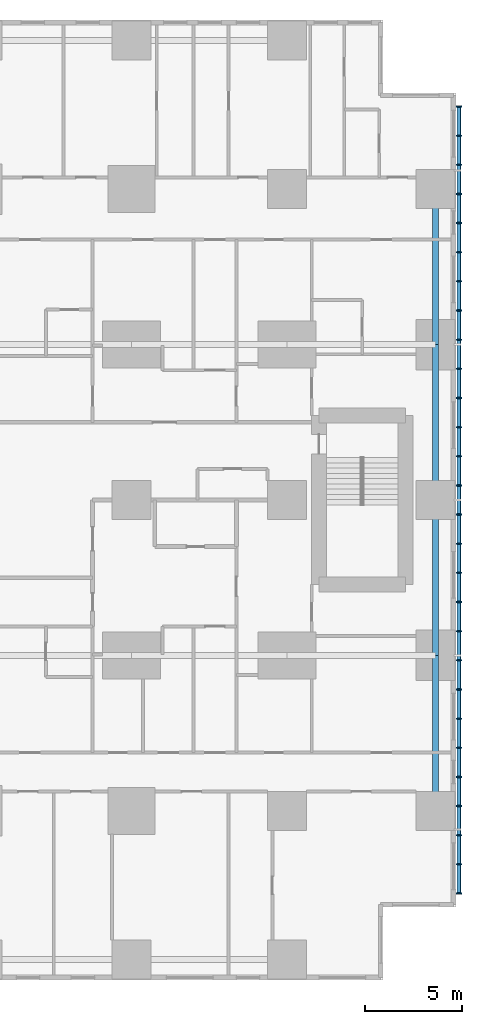
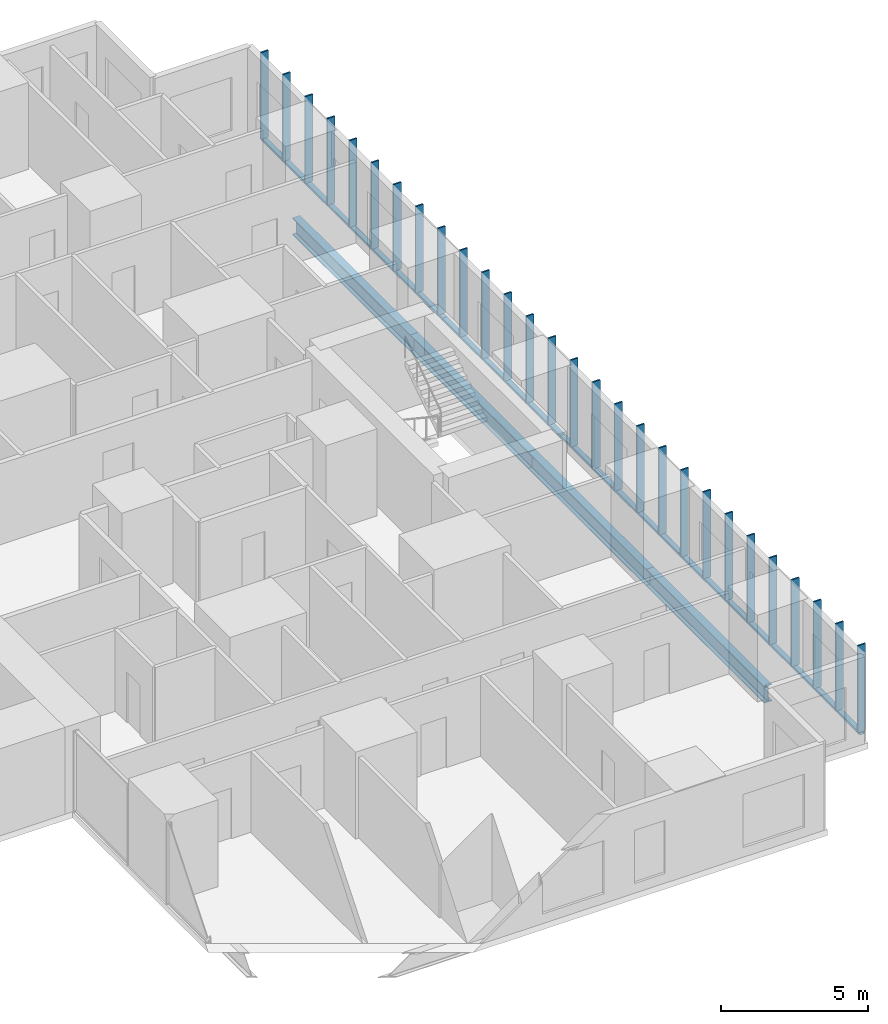
# One storey, part 6 of 21: 32 members, 4 beams.
"""IFC4 building model written with IfcOpenShell, lengths in metres."""

from ifc_helpers import new_model, si_unit, direction, frame, origin, origin_2d, place, context, subcontext, project, spatial, rectangle, hollow_rectangle, i_section, extrude, material, material_profile, profile_set, type_object, element, save


model = new_model("IFC4")

# Units and contexts
model_context = context("Model", 3, precision=1e-05, world=origin(), true_north=direction((0.0, 1.0)))
body_context = subcontext(model_context, "Body", "Model", "MODEL_VIEW")
ifc_project = project(units=[si_unit("LENGTHUNIT", "METRE"), si_unit("AREAUNIT", "SQUARE_METRE"), si_unit("VOLUMEUNIT", "CUBIC_METRE"), si_unit("PLANEANGLEUNIT", "RADIAN"), si_unit("MASSUNIT", "GRAM", prefix="KILO")], contexts=[model_context])

# Site, building, storey
site_placement = place(None, origin())
site = spatial("IfcSite", under=ifc_project, at=site_placement, CompositionType="ELEMENT")
building_placement = place(site_placement, origin())
building = spatial("IfcBuilding", under=site, at=building_placement, Name="Cleftline Residences", CompositionType="ELEMENT")
storey_placement = place(building_placement, frame((0.0, 0.0, 161.0)))
storey = spatial("IfcBuildingStorey", under=building, at=storey_placement, Name="L42", CompositionType="ELEMENT", Elevation=161.0)

# Members
ifc_material_1 = material(Name="Steel S355, hot-dip galvanised", Category="steel")
ifc_material_profile_1 = material_profile(ifc_material_1, hollow_rectangle(XDim=0.10009765625, YDim=0.199951171875, WallThickness=0.008056640625, InnerFilletRadius=0.008056640625, OuterFilletRadius=0.011962890625, at=origin_2d()))
ifc_profile_set_1 = profile_set([ifc_material_profile_1], Name="Steel S355, hot-dip galvanised")
member_type_1 = type_object("IfcMemberType", Name="BAGUETTE CARRIER RHS 200X100X8", PredefinedType="USERDEFINED", material=ifc_profile_set_1)
member_1_placement = place(storey_placement, frame((66.85009765625, 3.699951171875, -0.050048828125), z_axis=(0.0, 1.0, 0.0), x_axis=(0.0, 0.0, 1.0)))
element("IfcMember", 1, at=member_1_placement, inside=storey, type_object=member_type_1, Name="Baguette carrier", ObjectType="BAGUETTE CARRIER", PredefinedType="USERDEFINED", context=body_context, shape_type="SweptSolid", body=[
    extrude(hollow_rectangle(XDim=0.10009765625, YDim=0.199951171875, WallThickness=0.008056640625, InnerFilletRadius=0.008056640625, OuterFilletRadius=0.011962890625, at=origin_2d()), origin(), (0.0, 0.0, 1.0), 12.300048828125),
])
for number, where, z_axis, x_axis, name in (
    (2, (66.85009765625, 16.0, -0.050048828125), (0.0, 1.0, 0.0), (0.0, 0.0, 1.0), "Baguette carrier"),
    (3, (66.85009765625, 24.0, -0.050048828125), (0.0, 1.0, 0.0), (0.0, 0.0, 1.0), "Baguette carrier"),
):
    element("IfcMember", number, at=place(storey_placement, frame(where, z_axis=z_axis, x_axis=x_axis)), inside=storey, type_object=member_type_1, Name=name, ObjectType="BAGUETTE CARRIER", PredefinedType="USERDEFINED", context=body_context, shape_type="SweptSolid", body=[
        extrude(hollow_rectangle(XDim=0.10009765625, YDim=0.199951171875, WallThickness=0.008056640625, InnerFilletRadius=0.008056640625, OuterFilletRadius=0.011962890625, at=origin_2d()), origin(), (0.0, 0.0, 1.0), 8.0),
    ])
member_2_placement = place(storey_placement, frame((66.85009765625, 32.0, -0.050048828125), z_axis=(0.0, 1.0, 0.0), x_axis=(0.0, 0.0, 1.0)))
element("IfcMember", 4, at=member_2_placement, inside=storey, type_object=member_type_1, Name="Baguette carrier", ObjectType="BAGUETTE CARRIER", PredefinedType="USERDEFINED", context=body_context, shape_type="SweptSolid", body=[
    extrude(hollow_rectangle(XDim=0.10009765625, YDim=0.199951171875, WallThickness=0.008056640625, InnerFilletRadius=0.008056640625, OuterFilletRadius=0.011962890625, at=origin_2d()), origin(), (0.0, 0.0, 1.0), 12.300048828125),
])

# Beams
ifc_material_2 = material(Name="Steel S355", Category="steel")
ifc_material_profile_2 = material_profile(ifc_material_2, i_section(OverallWidth=0.300048828125, OverallDepth=0.699951171875, WebThickness=0.01708984375, FlangeThickness=0.031982421875, FilletRadius=0.027099609375, at=origin_2d()))
ifc_profile_set_2 = profile_set([ifc_material_profile_2], Name="Steel S355")
beam_type = type_object("IfcBeamType", Name="BEAM HEB 700", PredefinedType="BEAM", material=ifc_profile_set_2)
for number, where, z_axis, x_axis, name in (
    (5, (65.64990234375, 8.0, -0.60009765625), (0.0, 1.0, 0.0), (-1.0, 0.0, 0.0), "Edge beam"),
    (6, (65.64990234375, 16.0, -0.60009765625), (0.0, 1.0, 0.0), (-1.0, 0.0, 0.0), "Edge beam"),
    (7, (65.64990234375, 24.0, -0.60009765625), (0.0, 1.0, 0.0), (-1.0, 0.0, 0.0), "Edge beam"),
    (8, (65.64990234375, 32.0, -0.60009765625), (0.0, 1.0, 0.0), (-1.0, 0.0, 0.0), "Edge beam"),
):
    element("IfcBeam", number, at=place(storey_placement, frame(where, z_axis=z_axis, x_axis=x_axis)), inside=storey, type_object=beam_type, Name=name, PredefinedType="BEAM", context=body_context, shape_type="SweptSolid", body=[
        extrude(i_section(OverallWidth=0.300048828125, OverallDepth=0.699951171875, WebThickness=0.01708984375, FlangeThickness=0.031982421875, FilletRadius=0.027099609375, at=origin_2d()), origin(), (0.0, 0.0, 1.0), 8.0),
    ])

# Members
ifc_material_3 = material(Name="Extruded terracotta", Category="masonry")
ifc_material_profile_3 = material_profile(ifc_material_3, rectangle(XDim=0.06005859375, YDim=0.300048828125, at=origin_2d()))
ifc_profile_set_3 = profile_set([ifc_material_profile_3], Name="Extruded terracotta")
member_type_2 = type_object("IfcMemberType", Name="TERRACOTTA BAGUETTE 60X300", PredefinedType="USERDEFINED", material=ifc_profile_set_3)
for number, where, z_axis, x_axis, name in (
    (9, (66.85009765625, 3.75, 0.0), (0.0, 0.0, 1.0), (0.0, 1.0, 0.0), "Terracotta baguette"),
    (10, (66.85009765625, 5.25, 0.0), (0.0, 0.0, 1.0), (0.0, 1.0, 0.0), "Terracotta baguette"),
    (11, (66.85009765625, 6.75, 0.0), (0.0, 0.0, 1.0), (0.0, 1.0, 0.0), "Terracotta baguette"),
    (12, (66.85009765625, 8.25, 0.0), (0.0, 0.0, 1.0), (0.0, 1.0, 0.0), "Terracotta baguette"),
    (13, (66.85009765625, 9.75, 0.0), (0.0, 0.0, 1.0), (0.0, 1.0, 0.0), "Terracotta baguette"),
    (14, (66.85009765625, 11.25, 0.0), (0.0, 0.0, 1.0), (0.0, 1.0, 0.0), "Terracotta baguette"),
    (15, (66.85009765625, 12.75, 0.0), (0.0, 0.0, 1.0), (0.0, 1.0, 0.0), "Terracotta baguette"),
    (16, (66.85009765625, 14.25, 0.0), (0.0, 0.0, 1.0), (0.0, 1.0, 0.0), "Terracotta baguette"),
    (17, (66.85009765625, 15.75, 0.0), (0.0, 0.0, 1.0), (0.0, 1.0, 0.0), "Terracotta baguette"),
    (18, (66.85009765625, 17.25, 0.0), (0.0, 0.0, 1.0), (0.0, 1.0, 0.0), "Terracotta baguette"),
    (19, (66.85009765625, 18.75, 0.0), (0.0, 0.0, 1.0), (0.0, 1.0, 0.0), "Terracotta baguette"),
    (20, (66.85009765625, 20.25, 0.0), (0.0, 0.0, 1.0), (0.0, 1.0, 0.0), "Terracotta baguette"),
    (21, (66.85009765625, 21.75, 0.0), (0.0, 0.0, 1.0), (0.0, 1.0, 0.0), "Terracotta baguette"),
    (22, (66.85009765625, 23.25, 0.0), (0.0, 0.0, 1.0), (0.0, 1.0, 0.0), "Terracotta baguette"),
    (23, (66.85009765625, 24.75, 0.0), (0.0, 0.0, 1.0), (0.0, 1.0, 0.0), "Terracotta baguette"),
    (24, (66.85009765625, 26.25, 0.0), (0.0, 0.0, 1.0), (0.0, 1.0, 0.0), "Terracotta baguette"),
    (25, (66.85009765625, 27.75, 0.0), (0.0, 0.0, 1.0), (0.0, 1.0, 0.0), "Terracotta baguette"),
    (26, (66.85009765625, 29.25, 0.0), (0.0, 0.0, 1.0), (0.0, 1.0, 0.0), "Terracotta baguette"),
    (27, (66.85009765625, 30.75, 0.0), (0.0, 0.0, 1.0), (0.0, 1.0, 0.0), "Terracotta baguette"),
    (28, (66.85009765625, 32.25, 0.0), (0.0, 0.0, 1.0), (0.0, 1.0, 0.0), "Terracotta baguette"),
    (29, (66.85009765625, 33.75, 0.0), (0.0, 0.0, 1.0), (0.0, 1.0, 0.0), "Terracotta baguette"),
    (30, (66.85009765625, 35.25, 0.0), (0.0, 0.0, 1.0), (0.0, 1.0, 0.0), "Terracotta baguette"),
    (31, (66.85009765625, 36.75, 0.0), (0.0, 0.0, 1.0), (0.0, 1.0, 0.0), "Terracotta baguette"),
    (32, (66.85009765625, 38.25, 0.0), (0.0, 0.0, 1.0), (0.0, 1.0, 0.0), "Terracotta baguette"),
    (33, (66.85009765625, 39.75, 0.0), (0.0, 0.0, 1.0), (0.0, 1.0, 0.0), "Terracotta baguette"),
    (34, (66.85009765625, 41.25, 0.0), (0.0, 0.0, 1.0), (0.0, 1.0, 0.0), "Terracotta baguette"),
    (35, (66.85009765625, 42.75, 0.0), (0.0, 0.0, 1.0), (0.0, 1.0, 0.0), "Terracotta baguette"),
    (36, (66.85009765625, 44.25, 0.0), (0.0, 0.0, 1.0), (0.0, 1.0, 0.0), "Terracotta baguette"),
):
    element("IfcMember", number, at=place(storey_placement, frame(where, z_axis=z_axis, x_axis=x_axis)), inside=storey, type_object=member_type_2, Name=name, ObjectType="BAGUETTE", PredefinedType="USERDEFINED", context=body_context, shape_type="SweptSolid", body=[
        extrude(rectangle(XDim=0.06005859375, YDim=0.300048828125, at=origin_2d()), origin(), (0.0, 0.0, 1.0), 3.60009765625),
    ])

save(model, "model.ifc")
